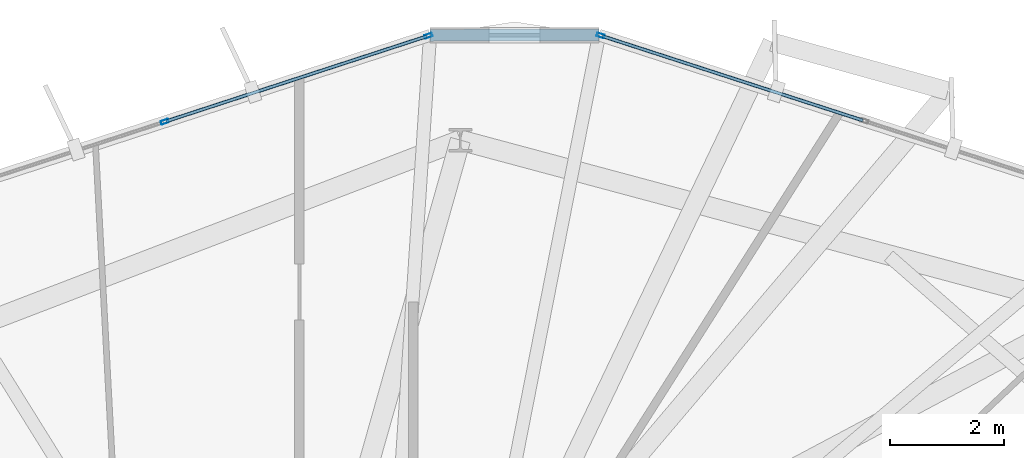
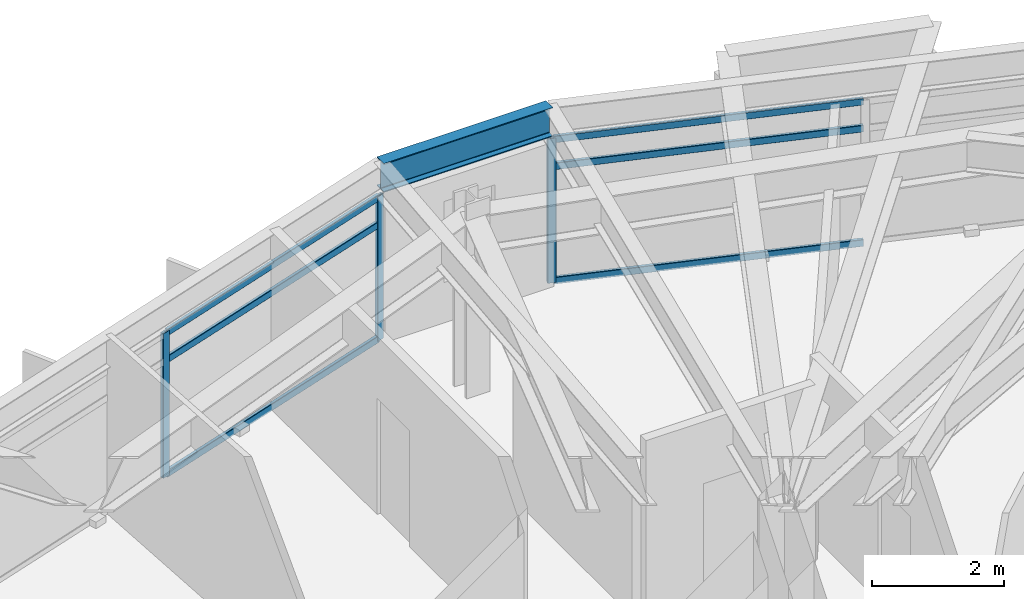
# One storey, part 21 of 31: 9 members, 1 beam, 2 elements without a shape of their own.
"""IFC4 building model written with IfcOpenShell, lengths in metres."""

from ifc_helpers import new_model, si_unit, direction, frame, origin, origin_2d, place, context, subcontext, project, spatial, hollow_rectangle, i_section, extrude, material, layer, layer_set, material_profile, profile_set, type_object, element, aggregate, save


model = new_model("IFC4")

# Units and contexts
model_context = context("Model", 3, precision=1e-05, world=origin(), true_north=direction((0.0, 1.0)))
body_context = subcontext(model_context, "Body", "Model", "MODEL_VIEW")
ifc_project = project(units=[si_unit("LENGTHUNIT", "METRE"), si_unit("AREAUNIT", "SQUARE_METRE"), si_unit("VOLUMEUNIT", "CUBIC_METRE"), si_unit("PLANEANGLEUNIT", "RADIAN"), si_unit("MASSUNIT", "GRAM", prefix="KILO")], contexts=[model_context])

# Site, building, storey
site_placement = place(None, origin())
site = spatial("IfcSite", under=ifc_project, at=site_placement, CompositionType="ELEMENT")
building_placement = place(site_placement, origin())
building = spatial("IfcBuilding", under=site, at=building_placement, Name="Soratama Intermodal Tower", CompositionType="ELEMENT")
storey_placement = place(building_placement, frame((0.0, 0.0, 230.199951171875)))
storey = spatial("IfcBuildingStorey", under=building, at=storey_placement, Name="L58", CompositionType="ELEMENT", Elevation=230.199951171875)

# Beam
ifc_material_1 = material(Name="Structural steel ASTM A992 Grade 50", Category="steel")
ifc_material_profile_1 = material_profile(ifc_material_1, i_section(OverallWidth=0.2099609375, OverallDepth=0.537109375, WebThickness=0.010986328125, FlangeThickness=0.017333984375, FilletRadius=0.012939453125, at=origin_2d()), Name="W21X68")
ifc_profile_set_1 = profile_set([ifc_material_profile_1], Name="Structural steel ASTM A992 Grade 50")
beam_type = type_object("IfcBeamType", Name="BM-SPN-W21X68", PredefinedType="SPANDREL", material=ifc_profile_set_1)
beam_placement = place(storey_placement, frame((46.4619140625, 45.419921875, 3.031494140625), z_axis=(-0.99999913321, -0.001316654553, 0.0), x_axis=(0.001316654553, -0.99999913321, 0.0)))
element("IfcBeam", 1, at=beam_placement, inside=storey, type_object=beam_type, Name="BS-L58-CRN01", PredefinedType="SPANDREL", context=body_context, shape_type="SweptSolid", body=[
    extrude(i_section(OverallWidth=0.2099609375, OverallDepth=0.537109375, WebThickness=0.010986328125, FlangeThickness=0.017333984375, FilletRadius=0.012939453125, at=origin_2d()), origin(), (0.0, 0.0, 1.0), 2.966796875),
])

# Curtain wall, member
ifc_material_2 = material(Name="Double-glazed aluminium curtain wall", Category="aluminium")
ifc_layer = layer(ifc_material_2, 0.159912109375)
ifc_layer_set = layer_set([ifc_layer], Name="Double-glazed aluminium curtain wall")
curtain_wall_type = type_object("IfcCurtainWallType", Name="CW-SYS-5", PredefinedType="NOTDEFINED", material=ifc_layer_set)
curtain_wall_1_placement = place(storey_placement, origin())
curtain_wall_1 = element("IfcCurtainWall", 2, at=curtain_wall_1_placement, inside=storey, type_object=curtain_wall_type, Name="L58 Faceted Curtain Wall F01", PredefinedType="NOTDEFINED")
ifc_material_3 = material(Name="Anodised aluminium AA 6063-T6", Category="aluminium")
ifc_material_profile_2 = material_profile(ifc_material_3, hollow_rectangle(XDim=0.06494140625, YDim=0.139892578125, WallThickness=0.0048828125, InnerFilletRadius=0.0048828125, OuterFilletRadius=0.010009765625, at=origin_2d()), Name="CWM140X65X5")
ifc_profile_set_2 = profile_set([ifc_material_profile_2], Name="Anodised aluminium AA 6063-T6")
member_type_1 = type_object("IfcMemberType", Name="MT-CWM-5", PredefinedType="MULLION", material=ifc_profile_set_2)
member_1_placement = place(storey_placement, frame((46.490478515625, 45.410400390625, 0.0), z_axis=(0.0, 0.0, 1.0), x_axis=(-0.308022186692, -0.951379173887, 0.0)))
member_1 = element("IfcMember", 3, at=member_1_placement, type_object=member_type_1, Name="CW-5 mullion 3", PredefinedType="MULLION", context=body_context, shape_type="SweptSolid", body=[
    extrude(hollow_rectangle(XDim=0.06494140625, YDim=0.139892578125, WallThickness=0.0048828125, InnerFilletRadius=0.0048828125, OuterFilletRadius=0.010009765625, at=origin_2d()), origin(), (0.0, 0.0, 1.0), 2.678955078125),
])

# Curtain wall, members
curtain_wall_2_placement = place(storey_placement, origin())
curtain_wall_2 = element("IfcCurtainWall", 4, at=curtain_wall_2_placement, inside=storey, type_object=curtain_wall_type, Name="L58 Faceted Curtain Wall F02", PredefinedType="NOTDEFINED")
member_2_placement = place(storey_placement, frame((43.466796875, 45.4072265625, 0.0), z_axis=(0.0, 0.0, 1.0), x_axis=(0.310014382585, -0.950731866822, 0.0)))
member_2 = element("IfcMember", 5, at=member_2_placement, type_object=member_type_1, Name="CW-5 mullion 1", PredefinedType="MULLION", context=body_context, shape_type="SweptSolid", body=[
    extrude(hollow_rectangle(XDim=0.06494140625, YDim=0.139892578125, WallThickness=0.0048828125, InnerFilletRadius=0.0048828125, OuterFilletRadius=0.010009765625, at=origin_2d()), origin(), (0.0, 0.0, 1.0), 2.678955078125),
])
member_3_placement = place(storey_placement, frame((38.837890625, 43.897705078125, 0.0), z_axis=(0.0, 0.0, 1.0), x_axis=(0.310014382585, -0.950731866822, 0.0)))
member_3 = element("IfcMember", 6, at=member_3_placement, type_object=member_type_1, Name="CW-5 mullion 2", PredefinedType="MULLION", context=body_context, shape_type="SweptSolid", body=[
    extrude(hollow_rectangle(XDim=0.06494140625, YDim=0.139892578125, WallThickness=0.0048828125, InnerFilletRadius=0.0048828125, OuterFilletRadius=0.010009765625, at=origin_2d()), origin(), (0.0, 0.0, 1.0), 2.678955078125),
])

# Member
ifc_material_4 = material(Name="Anodised aluminium AA 6063-T6", Category="aluminium")
ifc_material_profile_3 = material_profile(ifc_material_4, hollow_rectangle(XDim=0.06005859375, YDim=0.1298828125, WallThickness=0.0048828125, InnerFilletRadius=0.0048828125, OuterFilletRadius=0.010009765625, at=origin_2d()), Name="CWT130X60X5")
ifc_profile_set_3 = profile_set([ifc_material_profile_3], Name="Anodised aluminium AA 6063-T6")
member_type_2 = type_object("IfcMemberType", Name="TT-CWT-2", PredefinedType="USERDEFINED", material=ifc_profile_set_3)
member_4_placement = place(storey_placement, frame((51.093994140625, 43.919921875, 0.030029296875), z_axis=(-0.951379335093, 0.308021688778, 0.0), x_axis=(-0.308021688778, -0.951379335093, 0.0)))
member_4 = element("IfcMember", 7, at=member_4_placement, type_object=member_type_2, Name="CW-5 transom 2.1", ObjectType="TRANSOM", PredefinedType="USERDEFINED", context=body_context, shape_type="SweptSolid", body=[
    extrude(hollow_rectangle(XDim=0.06005859375, YDim=0.1298828125, WallThickness=0.0048828125, InnerFilletRadius=0.0048828125, OuterFilletRadius=0.010009765625, at=origin_2d()), origin(), (0.0, 0.0, 1.0), 4.808837890625),
])

member_5_placement = place(storey_placement, frame((51.093994140625, 43.919921875, 2.150146484375), z_axis=(-0.951379335093, 0.308021688778, 0.0), x_axis=(-0.308021688778, -0.951379335093, 0.0)))
member_5 = element("IfcMember", 8, at=member_5_placement, type_object=member_type_2, Name="CW-5 transom 2.2", ObjectType="TRANSOM", PredefinedType="USERDEFINED", context=body_context, shape_type="SweptSolid", body=[
    extrude(hollow_rectangle(XDim=0.06005859375, YDim=0.1298828125, WallThickness=0.0048828125, InnerFilletRadius=0.0048828125, OuterFilletRadius=0.010009765625, at=origin_2d()), origin(), (0.0, 0.0, 1.0), 4.808837890625),
])

member_6_placement = place(storey_placement, frame((51.093994140625, 43.919921875, 2.649169921875), z_axis=(-0.951379335093, 0.308021688778, 0.0), x_axis=(-0.308021688778, -0.951379335093, 0.0)))
member_6 = element("IfcMember", 9, at=member_6_placement, type_object=member_type_2, Name="CW-5 transom 2.3", ObjectType="TRANSOM", PredefinedType="USERDEFINED", context=body_context, shape_type="SweptSolid", body=[
    extrude(hollow_rectangle(XDim=0.06005859375, YDim=0.1298828125, WallThickness=0.0048828125, InnerFilletRadius=0.0048828125, OuterFilletRadius=0.010009765625, at=origin_2d()), origin(), (0.0, 0.0, 1.0), 4.808837890625),
])

aggregate(curtain_wall_1, [member_1, member_4, member_5, member_6])

member_7_placement = place(storey_placement, frame((43.438232421875, 45.39794921875, 0.030029296875), z_axis=(-0.950719429031, -0.310052523395, 0.0), x_axis=(0.310052523395, -0.950719429031, 0.0)))
member_7 = element("IfcMember", 10, at=member_7_placement, type_object=member_type_2, Name="CW-5 transom 1.1", ObjectType="TRANSOM", PredefinedType="USERDEFINED", context=body_context, shape_type="SweptSolid", body=[
    extrude(hollow_rectangle(XDim=0.06005859375, YDim=0.1298828125, WallThickness=0.0048828125, InnerFilletRadius=0.0048828125, OuterFilletRadius=0.010009765625, at=origin_2d()), origin(), (0.0, 0.0, 1.0), 4.808837890625),
])

member_8_placement = place(storey_placement, frame((43.438232421875, 45.39794921875, 2.150146484375), z_axis=(-0.950719429031, -0.310052523395, 0.0), x_axis=(0.310052523395, -0.950719429031, 0.0)))
member_8 = element("IfcMember", 11, at=member_8_placement, type_object=member_type_2, Name="CW-5 transom 1.2", ObjectType="TRANSOM", PredefinedType="USERDEFINED", context=body_context, shape_type="SweptSolid", body=[
    extrude(hollow_rectangle(XDim=0.06005859375, YDim=0.1298828125, WallThickness=0.0048828125, InnerFilletRadius=0.0048828125, OuterFilletRadius=0.010009765625, at=origin_2d()), origin(), (0.0, 0.0, 1.0), 4.808837890625),
])

member_9_placement = place(storey_placement, frame((43.438232421875, 45.39794921875, 2.649169921875), z_axis=(-0.950719429031, -0.310052523395, 0.0), x_axis=(0.310052523395, -0.950719429031, 0.0)))
member_9 = element("IfcMember", 12, at=member_9_placement, type_object=member_type_2, Name="CW-5 transom 1.3", ObjectType="TRANSOM", PredefinedType="USERDEFINED", context=body_context, shape_type="SweptSolid", body=[
    extrude(hollow_rectangle(XDim=0.06005859375, YDim=0.1298828125, WallThickness=0.0048828125, InnerFilletRadius=0.0048828125, OuterFilletRadius=0.010009765625, at=origin_2d()), origin(), (0.0, 0.0, 1.0), 4.808837890625),
])

aggregate(curtain_wall_2, [member_2, member_3, member_7, member_8, member_9])

save(model, "model.ifc")
